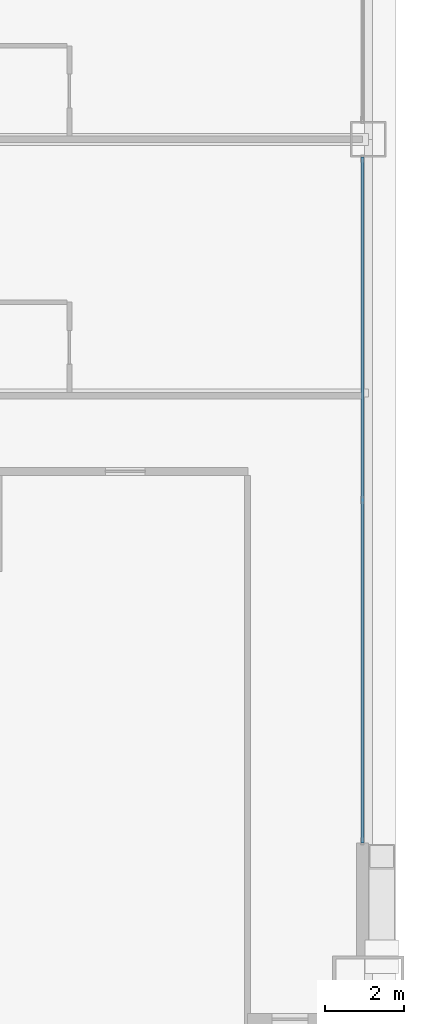
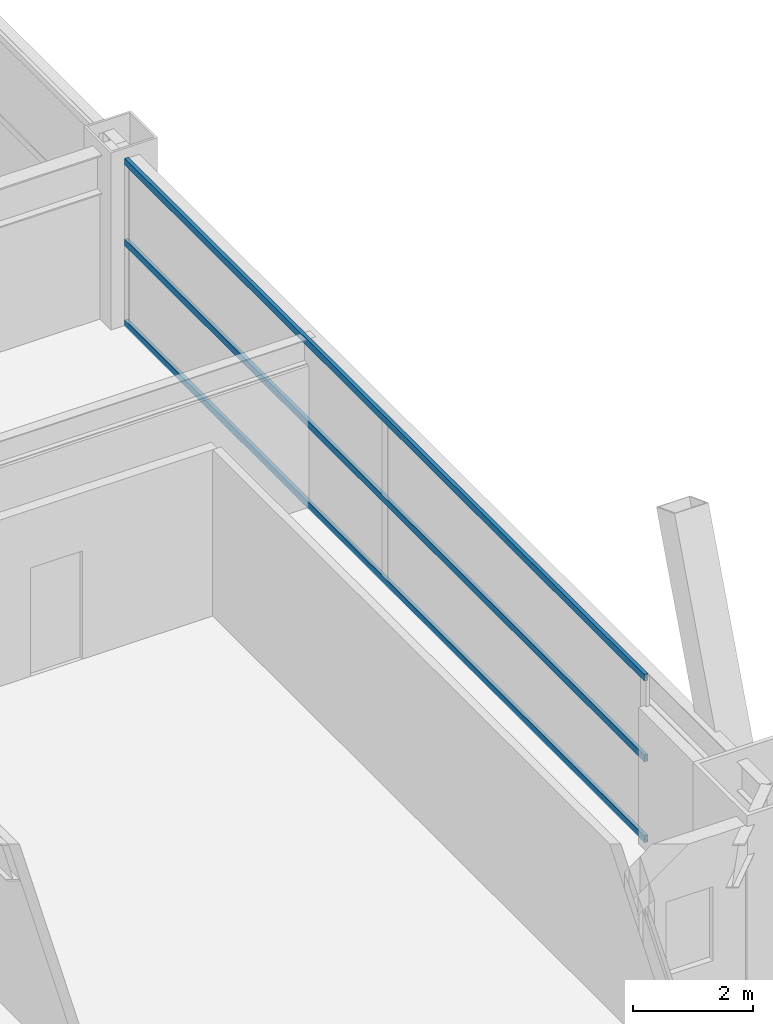
# One storey, part 20 of 43: 3 members, 1 element without a shape of its own.
"""IFC4 building model written with IfcOpenShell, lengths in metres."""

from ifc_helpers import new_model, si_unit, direction, frame, origin, origin_2d, place, context, subcontext, project, spatial, hollow_rectangle, extrude, source, transform, mapped, material, layer, layer_set, material_profile, profile_set, type_object, element, aggregate, save


model = new_model("IFC4")

# Units and contexts
model_context = context("Model", 3, precision=1e-05, world=origin(), true_north=direction((0.0, 1.0)))
body_context = subcontext(model_context, "Body", "Model", "MODEL_VIEW")
ifc_project = project(units=[si_unit("LENGTHUNIT", "METRE"), si_unit("AREAUNIT", "SQUARE_METRE"), si_unit("VOLUMEUNIT", "CUBIC_METRE"), si_unit("PLANEANGLEUNIT", "RADIAN"), si_unit("MASSUNIT", "GRAM", prefix="KILO"), si_unit("THERMODYNAMICTEMPERATUREUNIT", "KELVIN"), si_unit("POWERUNIT", "WATT")], contexts=[model_context])

# Site, building, storey
site_placement = place(None, origin())
site = spatial("IfcSite", under=ifc_project, at=site_placement, CompositionType="ELEMENT")
building_placement = place(site_placement, origin())
building = spatial("IfcBuilding", under=site, at=building_placement, Name="Yuzanri Waterfront Tower", CompositionType="ELEMENT")
storey_placement = place(building_placement, frame((0.0, 0.0, 60.39990234375)))
storey = spatial("IfcBuildingStorey", under=building, at=storey_placement, Name="L15", CompositionType="ELEMENT", Elevation=60.39990234375)

# Curtain wall, members
ifc_material_1 = material(Name="Anodized Architectural Bronze", Category="metal")
ifc_layer = layer(ifc_material_1, 0.159912109375)
ifc_layer_set = layer_set([ifc_layer], Name="Anodized Architectural Bronze")
curtain_wall_type = type_object("IfcCurtainWallType", Name="Anodized Bronze Hotel Lower-Tier Recessed Unitized Curtain Wall 8100", PredefinedType="NOTDEFINED", material=ifc_layer_set)
curtain_wall_placement = place(storey_placement, origin())
curtain_wall = element("IfcCurtainWall", 1, at=curtain_wall_placement, inside=storey, type_object=curtain_wall_type, Name="L15 Curtain Wall CW-L15-EL", PredefinedType="NOTDEFINED")
ifc_material_2 = material(Name="Anodized Architectural Bronze", Category="metal")
ifc_material_profile = material_profile(ifc_material_2, hollow_rectangle(XDim=0.070068359375, YDim=0.135009765625, WallThickness=0.00341796875, at=origin_2d()), Name="CWT 70x135")
ifc_profile_set = profile_set([ifc_material_profile], Name="Anodized Architectural Bronze")
member_type = type_object("IfcMemberType", Name="Anodized Bronze Standard Curtain-Wall Transom 70x135", PredefinedType="USERDEFINED", material=ifc_profile_set)
shared_shape = source(origin(), body_context, "Body", "SweptSolid", [
    extrude(hollow_rectangle(XDim=0.070068359375, YDim=0.135009765625, WallThickness=0.00341796875, at=origin_2d()), origin(), (0.0, 0.0, 1.0), 17.300048828125),
])
member_1_placement = place(storey_placement, frame((61.949951171875, 8.050048828125, 0.050048828125), z_axis=(0.0, 1.0, 0.0), x_axis=(-1.0, 0.0, 0.0)))
member_1 = element("IfcMember", 2, at=member_1_placement, type_object=member_type, Name="CW-L15-EL Transom 1", ObjectType="TRANSOM", PredefinedType="USERDEFINED", context=body_context, shape_type="MappedRepresentation", body=[
    mapped(shared_shape, transform((0.0, 0.0, 0.0), scale=1.0)),
])
member_2_placement = place(storey_placement, frame((61.949951171875, 8.050048828125, 1.690185546875), z_axis=(0.0, 1.0, 0.0), x_axis=(-1.0, 0.0, 0.0)))
member_2 = element("IfcMember", 3, at=member_2_placement, type_object=member_type, Name="CW-L15-EL Transom 2", ObjectType="TRANSOM", PredefinedType="USERDEFINED", context=body_context, shape_type="MappedRepresentation", body=[
    mapped(shared_shape, transform((0.0, 0.0, 0.0), scale=1.0)),
])
member_3_placement = place(storey_placement, frame((61.949951171875, 8.050048828125, 3.330078125), z_axis=(0.0, 1.0, 0.0), x_axis=(-1.0, 0.0, 0.0)))
member_3 = element("IfcMember", 4, at=member_3_placement, type_object=member_type, Name="CW-L15-EL Transom 3", ObjectType="TRANSOM", PredefinedType="USERDEFINED", context=body_context, shape_type="MappedRepresentation", body=[
    mapped(shared_shape, transform((0.0, 0.0, 0.0), scale=1.0)),
])
aggregate(curtain_wall, [member_1, member_2, member_3])

save(model, "model.ifc")
